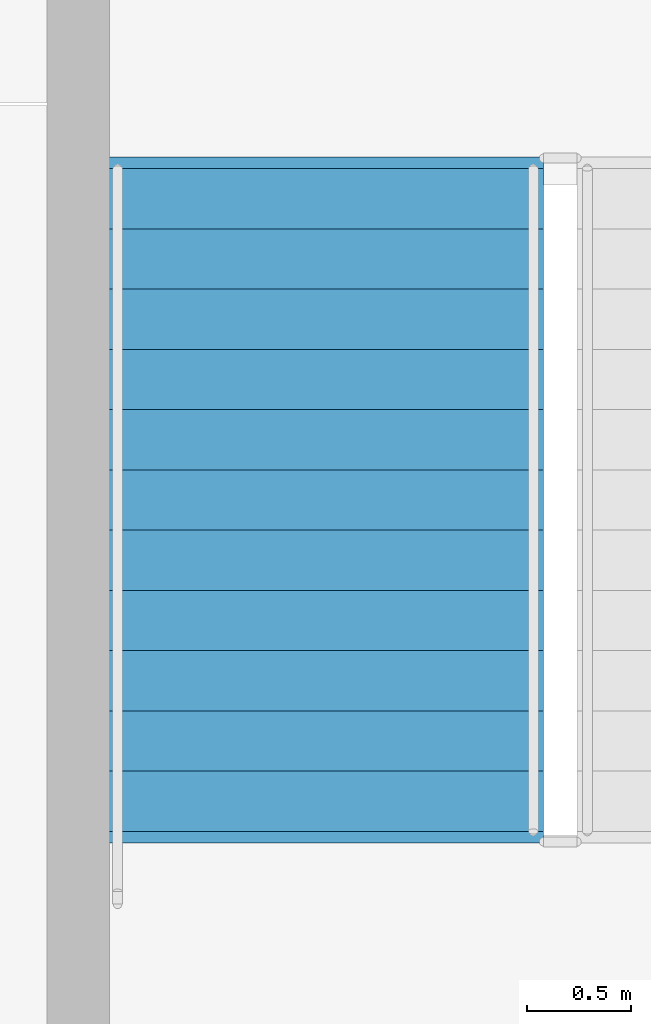
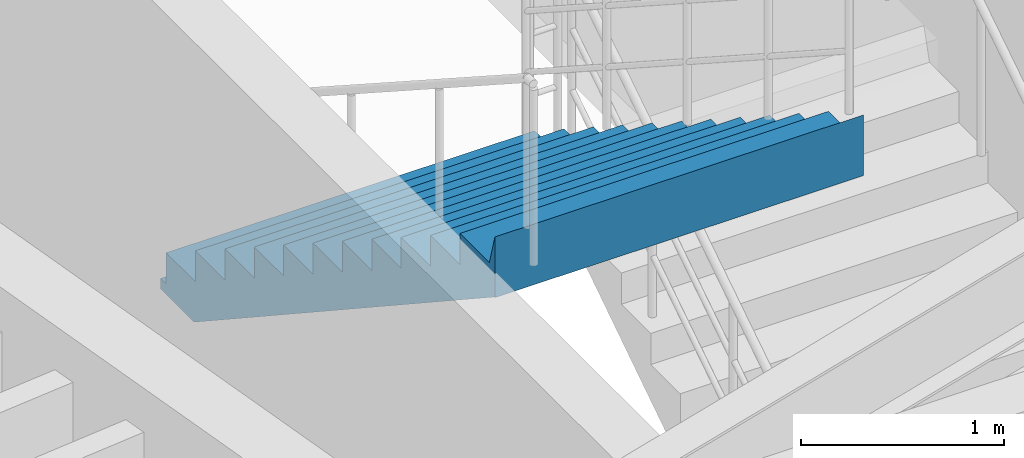
# One storey, part 29 of 45: 1 stair flight, 1 element without a shape of its own.
"""IFC4 building model written with IfcOpenShell, lengths in metres."""

from ifc_helpers import new_model, si_unit, direction, frame, origin, place, context, subcontext, project, spatial, polyline, outline, extrude, material, type_object, element, aggregate, save


model = new_model("IFC4")

# Units and contexts
model_context = context("Model", 3, precision=1e-05, world=origin(), true_north=direction((0.0, 1.0)))
body_context = subcontext(model_context, "Body", "Model", "MODEL_VIEW")
ifc_project = project(units=[si_unit("LENGTHUNIT", "METRE"), si_unit("AREAUNIT", "SQUARE_METRE"), si_unit("VOLUMEUNIT", "CUBIC_METRE"), si_unit("PLANEANGLEUNIT", "RADIAN"), si_unit("MASSUNIT", "GRAM", prefix="KILO")], contexts=[model_context])

# Site, building, storey
site_placement = place(None, origin())
site = spatial("IfcSite", under=ifc_project, at=site_placement, CompositionType="ELEMENT")
building_placement = place(site_placement, origin())
building = spatial("IfcBuilding", under=site, at=building_placement, Name="Cinderbank Siding Concert Hall", CompositionType="ELEMENT")
storey_placement = place(building_placement, frame((0.0, 0.0, 19.199951171875)))
storey = spatial("IfcBuildingStorey", under=building, at=storey_placement, Name="L05", CompositionType="ELEMENT", Elevation=19.199951171875)

# Stair, stair flight
ifc_material = material(Name="Reinforced concrete AS 3600 N50 (50 MPa)", Category="concrete")
stair_type = type_object("IfcStairType", Name="STR-D Dogleg Exit Stair 2100mm", PredefinedType="HALF_TURN_STAIR", material=ifc_material)
stair_placement = place(storey_placement, origin())
stair = element("IfcStair", 1, at=stair_placement, inside=storey, type_object=stair_type, Name="L05 West Drum Exit Stair ST-04", PredefinedType="HALF_TURN_STAIR")
stair_flight_type = type_object("IfcStairFlightType", Name="SFL-D Concrete Stair Flight 2100mm", PredefinedType="STRAIGHT", material=ifc_material)
stair_flight_placement = place(storey_placement, frame((98.590087890625, 43.68994140625, 2.25), z_axis=(0.0, 0.0, 1.0), x_axis=(0.0, -1.0, 0.0)))
stair_flight = element("IfcStairFlight", 2, at=stair_flight_placement, type_object=stair_flight_type, Name="ST-04 flight 2", NumberOfRisers=12, NumberOfTreads=11, PredefinedType="STRAIGHT", RiserHeight=0.1875, TreadLength=0.29, context=body_context, shape_type="SweptSolid", body=[
    extrude(outline(polyline([(0.0, 0.0), (0.0, 0.1875), (0.2900390625, 0.1875), (0.2900390625, 0.375), (0.580078125, 0.375), (0.580078125, 0.5625), (0.8701171875, 0.5625), (0.8701171875, 0.75), (1.159912109375, 0.75), (1.159912109375, 0.9375), (1.449951171875, 0.9375), (1.449951171875, 1.125), (1.739990234375, 1.125), (1.739990234375, 1.3125), (2.030029296875, 1.3125), (2.030029296875, 1.5), (2.320068359375, 1.5), (2.320068359375, 1.6875), (2.610107421875, 1.6875), (2.610107421875, 1.875), (2.89990234375, 1.875), (2.89990234375, 2.0625), (3.18994140625, 2.0625), (3.244873046875, 2.25), (3.244873046875, 1.884033203125), (3.24462890625, 1.88427734375), (3.24462890625, 1.884521484375), (3.24462890625, 1.884765625), (3.24462890625, 1.885009765625), (3.24462890625, 1.88525390625), (3.24462890625, 1.885498046875), (3.24462890625, 1.8857421875), (3.24462890625, 1.885986328125), (3.24462890625, 1.88623046875), (3.24462890625, 1.886474609375), (3.24462890625, 1.88671875), (3.24462890625, 1.886962890625), (3.244384765625, 1.886962890625), (3.244384765625, 1.88671875), (3.244384765625, 1.886474609375), (3.244384765625, 1.88623046875), (3.244384765625, 1.885986328125), (3.244384765625, 1.8857421875), (3.244384765625, 1.885498046875), (3.244384765625, 1.88525390625), (3.244384765625, 1.885009765625), (3.244384765625, 1.884765625), (3.244384765625, 1.884521484375), (3.244384765625, 1.88427734375), (3.244384765625, 1.884033203125), (3.244140625, 1.88427734375), (3.244140625, 1.884521484375), (3.244140625, 1.884765625), (3.244140625, 1.885009765625), (3.244140625, 1.88525390625), (3.244140625, 1.885498046875), (3.244140625, 1.8857421875), (3.244140625, 1.885986328125), (3.244140625, 1.88623046875), (3.244140625, 1.886474609375), (3.244140625, 1.88671875), (3.244140625, 1.886962890625), (3.243896484375, 1.886962890625), (3.243896484375, 1.88671875), (3.243896484375, 1.886474609375), (3.243896484375, 1.88623046875), (3.243896484375, 1.885986328125), (3.243896484375, 1.8857421875), (3.243896484375, 1.885498046875), (3.243896484375, 1.88525390625), (3.243896484375, 1.885009765625), (3.243896484375, 1.884765625), (3.243896484375, 1.884521484375), (3.243896484375, 1.88427734375), (3.243896484375, 1.884033203125), (3.24365234375, 1.88427734375), (3.24365234375, 1.884521484375), (3.24365234375, 1.884765625), (3.24365234375, 1.885009765625), (3.24365234375, 1.88525390625), (3.24365234375, 1.885498046875), (3.24365234375, 1.8857421875), (3.24365234375, 1.885986328125), (3.24365234375, 1.88623046875), (3.24365234375, 1.886474609375), (3.24365234375, 1.88671875), (3.24365234375, 1.886962890625), (3.243408203125, 1.886962890625), (3.243408203125, 1.88671875), (3.243408203125, 1.886474609375), (3.243408203125, 1.88623046875), (3.243408203125, 1.885986328125), (3.243408203125, 1.8857421875), (3.243408203125, 1.885498046875), (3.243408203125, 1.88525390625), (3.243408203125, 1.885009765625), (3.243408203125, 1.884765625), (3.243408203125, 1.884521484375), (3.243408203125, 1.88427734375), (3.243408203125, 1.884033203125), (3.2431640625, 1.88427734375), (3.2431640625, 1.884521484375), (3.2431640625, 1.884765625), (3.2431640625, 1.885009765625), (3.2431640625, 1.88525390625), (3.2431640625, 1.885498046875), (3.2431640625, 1.8857421875), (3.2431640625, 1.885986328125), (3.2431640625, 1.88623046875), (3.2431640625, 1.886474609375), (3.2431640625, 1.88671875), (3.2431640625, 1.886962890625), (3.242919921875, 1.886962890625), (3.242919921875, 1.88671875), (3.242919921875, 1.886474609375), (3.242919921875, 1.88623046875), (3.242919921875, 1.885986328125), (3.242919921875, 1.8857421875), (3.242919921875, 1.885498046875), (3.242919921875, 1.88525390625), (3.242919921875, 1.885009765625), (3.242919921875, 1.884765625), (3.242919921875, 1.884521484375), (3.242919921875, 1.88427734375), (3.242919921875, 1.884033203125), (3.24267578125, 1.88427734375), (3.24267578125, 1.884521484375), (3.24267578125, 1.884765625), (3.24267578125, 1.885009765625), (3.24267578125, 1.88525390625), (3.24267578125, 1.885498046875), (3.24267578125, 1.8857421875), (3.24267578125, 1.885986328125), (3.24267578125, 1.88623046875), (3.24267578125, 1.886474609375), (3.24267578125, 1.88671875), (3.24267578125, 1.886962890625), (3.242431640625, 1.886962890625), (3.242431640625, 1.88671875), (3.242431640625, 1.886474609375), (3.242431640625, 1.88623046875), (3.242431640625, 1.885986328125), (3.242431640625, 1.8857421875), (3.242431640625, 1.885498046875), (3.242431640625, 1.88525390625), (3.242431640625, 1.885009765625), (3.242431640625, 1.884765625), (3.242431640625, 1.884521484375), (3.242431640625, 1.88427734375), (3.242431640625, 1.884033203125), (3.2421875, 1.88427734375), (3.2421875, 1.884521484375), (3.2421875, 1.884765625), (3.2421875, 1.885009765625), (3.2421875, 1.88525390625), (3.2421875, 1.885498046875), (3.2421875, 1.8857421875), (3.2421875, 1.885986328125), (3.2421875, 1.88623046875), (3.2421875, 1.886474609375), (3.2421875, 1.88671875), (3.2421875, 1.886962890625), (3.241943359375, 1.886962890625), (3.241943359375, 1.88671875), (3.241943359375, 1.886474609375), (3.241943359375, 1.88623046875), (3.241943359375, 1.885986328125), (3.241943359375, 1.8857421875), (3.241943359375, 1.885498046875), (3.241943359375, 1.88525390625), (3.241943359375, 1.885009765625), (3.241943359375, 1.884765625), (3.241943359375, 1.884521484375), (3.241943359375, 1.88427734375), (3.241943359375, 1.884033203125), (3.24169921875, 1.88427734375), (3.24169921875, 1.884521484375), (3.24169921875, 1.884765625), (3.24169921875, 1.885009765625), (3.24169921875, 1.88525390625), (3.24169921875, 1.885498046875), (3.24169921875, 1.8857421875), (3.24169921875, 1.885986328125), (3.24169921875, 1.88623046875), (3.24169921875, 1.886474609375), (3.24169921875, 1.88671875), (3.24169921875, 1.886962890625), (3.241455078125, 1.886962890625), (3.241455078125, 1.88671875), (3.241455078125, 1.886474609375), (3.241455078125, 1.88623046875), (3.241455078125, 1.885986328125), (3.241455078125, 1.8857421875), (3.241455078125, 1.885498046875), (3.241455078125, 1.88525390625), (3.241455078125, 1.885009765625), (3.241455078125, 1.884765625), (3.241455078125, 1.884521484375), (3.241455078125, 1.88427734375), (3.241455078125, 1.884033203125), (3.2412109375, 1.88427734375), (3.2412109375, 1.884521484375), (3.2412109375, 1.884765625), (3.2412109375, 1.885009765625), (3.2412109375, 1.88525390625), (3.2412109375, 1.885498046875), (3.2412109375, 1.8857421875), (3.2412109375, 1.885986328125), (3.2412109375, 1.88623046875), (3.2412109375, 1.886474609375), (3.2412109375, 1.88671875), (3.2412109375, 1.886962890625), (3.240966796875, 1.886962890625), (3.240966796875, 1.88671875), (3.240966796875, 1.886474609375), (3.240966796875, 1.88623046875), (3.240966796875, 1.885986328125), (3.240966796875, 1.8857421875), (3.240966796875, 1.885498046875), (3.240966796875, 1.88525390625), (3.240966796875, 1.885009765625), (3.240966796875, 1.884765625), (3.240966796875, 1.884521484375), (3.240966796875, 1.88427734375), (3.240966796875, 1.884033203125), (3.24072265625, 1.88427734375), (3.24072265625, 1.884521484375), (3.24072265625, 1.884765625), (3.24072265625, 1.885009765625), (3.24072265625, 1.88525390625), (3.24072265625, 1.885498046875), (3.24072265625, 1.8857421875), (3.24072265625, 1.885986328125), (3.24072265625, 1.88623046875), (3.24072265625, 1.886474609375), (3.24072265625, 1.88671875), (3.24072265625, 1.886962890625), (3.240478515625, 1.886962890625), (3.240478515625, 1.88671875), (3.240478515625, 1.886474609375), (3.240478515625, 1.88623046875), (3.240478515625, 1.885986328125), (3.240478515625, 1.8857421875), (3.240478515625, 1.885498046875), (3.240478515625, 1.88525390625), (3.240478515625, 1.885009765625), (3.240478515625, 1.884765625), (3.240478515625, 1.884521484375), (3.240478515625, 1.88427734375), (3.240478515625, 1.884033203125), (3.240234375, 1.88427734375), (3.240234375, 1.884521484375), (3.240234375, 1.884765625), (3.240234375, 1.885009765625), (3.240234375, 1.88525390625), (3.240234375, 1.885498046875), (3.240234375, 1.8857421875), (3.240234375, 1.885986328125), (3.240234375, 1.88623046875), (3.240234375, 1.886474609375), (3.240234375, 1.88671875), (3.240234375, 1.886962890625), (3.239990234375, 1.886962890625), (3.239990234375, 1.88671875), (3.239990234375, 1.886474609375), (3.239990234375, 1.88623046875), (3.239990234375, 1.885986328125), (3.239990234375, 1.8857421875), (3.239990234375, 1.885498046875), (3.239990234375, 1.88525390625), (3.239990234375, 1.885009765625), (3.239990234375, 1.884765625), (3.239990234375, 1.884521484375), (3.239990234375, 1.88427734375), (3.239990234375, 1.884033203125), (3.23974609375, 1.88427734375), (3.23974609375, 1.884521484375), (3.23974609375, 1.884765625), (3.23974609375, 1.885009765625), (3.23974609375, 1.88525390625), (3.23974609375, 1.885498046875), (3.23974609375, 1.8857421875), (3.23974609375, 1.885986328125), (3.23974609375, 1.88623046875), (3.23974609375, 1.886474609375), (3.23974609375, 1.88671875), (3.23974609375, 1.886962890625), (3.239501953125, 1.886962890625), (3.239501953125, 1.88671875), (3.239501953125, 1.886474609375), (3.239501953125, 1.88623046875), (3.239501953125, 1.885986328125), (3.239501953125, 1.8857421875), (3.239501953125, 1.885498046875), (3.239501953125, 1.88525390625), (3.239501953125, 1.885009765625), (3.239501953125, 1.884765625), (3.239501953125, 1.884521484375), (3.239501953125, 1.88427734375), (3.239501953125, 1.884033203125), (3.2392578125, 1.88427734375), (3.2392578125, 1.884521484375), (3.2392578125, 1.884765625), (3.2392578125, 1.885009765625), (3.2392578125, 1.88525390625), (3.2392578125, 1.885498046875), (3.2392578125, 1.8857421875), (3.2392578125, 1.885986328125), (3.2392578125, 1.88623046875), (3.2392578125, 1.886474609375), (3.2392578125, 1.88671875), (3.2392578125, 1.886962890625), (3.239013671875, 1.886962890625), (3.239013671875, 1.88671875), (3.239013671875, 1.886474609375), (3.239013671875, 1.88623046875), (3.239013671875, 1.885986328125), (3.239013671875, 1.8857421875), (3.239013671875, 1.885498046875), (3.239013671875, 1.88525390625), (3.239013671875, 1.885009765625), (3.239013671875, 1.884765625), (3.239013671875, 1.884521484375), (3.239013671875, 1.88427734375), (3.239013671875, 1.884033203125), (3.23876953125, 1.88427734375), (3.23876953125, 1.884521484375), (3.23876953125, 1.884765625), (3.23876953125, 1.885009765625), (3.23876953125, 1.88525390625), (3.23876953125, 1.885498046875), (3.23876953125, 1.8857421875), (3.23876953125, 1.885986328125), (3.23876953125, 1.88623046875), (3.23876953125, 1.886474609375), (3.23876953125, 1.88671875), (3.23876953125, 1.886962890625), (3.238525390625, 1.886962890625), (3.238525390625, 1.88671875), (3.238525390625, 1.886474609375), (3.238525390625, 1.88623046875), (3.238525390625, 1.885986328125), (3.238525390625, 1.8857421875), (3.238525390625, 1.885498046875), (3.238525390625, 1.88525390625), (3.238525390625, 1.885009765625), (3.238525390625, 1.884765625), (3.238525390625, 1.884521484375), (3.238525390625, 1.88427734375), (3.238525390625, 1.884033203125), (0.276123046875, -0.06396484375), (-0.048583984375, -0.063720703125), (-0.048583984375, -0.0634765625), (-0.048583984375, -0.063232421875), (-0.048583984375, -0.06298828125), (-0.048583984375, -0.062744140625), (-0.048583984375, -0.0625), (-0.048583984375, -0.062255859375), (-0.048583984375, -0.06201171875), (-0.048583984375, -0.061767578125), (-0.048583984375, -0.0615234375), (-0.048583984375, -0.061279296875), (-0.048583984375, -0.06103515625), (-0.048828125, -0.06103515625), (-0.048828125, -0.061279296875), (-0.048828125, -0.0615234375), (-0.048828125, -0.061767578125), (-0.048828125, -0.06201171875), (-0.048828125, -0.062255859375), (-0.048828125, -0.0625), (-0.048828125, -0.062744140625), (-0.048828125, -0.06298828125), (-0.048828125, -0.063232421875), (-0.048828125, -0.0634765625), (-0.048828125, -0.063720703125), (-0.048828125, -0.06396484375), (-0.049072265625, -0.063720703125), (-0.049072265625, -0.0634765625), (-0.049072265625, -0.063232421875), (-0.049072265625, -0.06298828125), (-0.049072265625, -0.062744140625), (-0.049072265625, -0.0625), (-0.049072265625, -0.062255859375), (-0.049072265625, -0.06201171875), (-0.049072265625, -0.061767578125), (-0.049072265625, -0.0615234375), (-0.049072265625, -0.061279296875), (-0.049072265625, -0.06103515625), (-0.04931640625, -0.06103515625), (-0.04931640625, -0.061279296875), (-0.04931640625, -0.0615234375), (-0.04931640625, -0.061767578125), (-0.04931640625, -0.06201171875), (-0.04931640625, -0.062255859375), (-0.04931640625, -0.0625), (-0.04931640625, -0.062744140625), (-0.04931640625, -0.06298828125), (-0.04931640625, -0.063232421875), (-0.04931640625, -0.0634765625), (-0.04931640625, -0.063720703125), (-0.04931640625, -0.06396484375), (-0.049560546875, -0.063720703125), (-0.049560546875, -0.0634765625), (-0.049560546875, -0.063232421875), (-0.049560546875, -0.06298828125), (-0.049560546875, -0.062744140625), (-0.049560546875, -0.0625), (-0.049560546875, -0.062255859375), (-0.049560546875, -0.06201171875), (-0.049560546875, -0.061767578125), (-0.049560546875, -0.0615234375), (-0.049560546875, -0.061279296875), (-0.049560546875, -0.06103515625), (-0.0498046875, -0.06103515625), (-0.0498046875, -0.061279296875), (-0.0498046875, -0.0615234375), (-0.0498046875, -0.061767578125), (-0.0498046875, -0.06201171875), (-0.0498046875, -0.062255859375), (-0.0498046875, -0.0625), (-0.0498046875, -0.062744140625), (-0.0498046875, -0.06298828125), (-0.0498046875, -0.063232421875), (-0.0498046875, -0.0634765625), (-0.0498046875, -0.063720703125), (-0.0498046875, -0.06396484375), (-0.050048828125, -0.063720703125), (-0.050048828125, -0.0634765625), (-0.050048828125, -0.063232421875), (-0.050048828125, -0.06298828125), (-0.050048828125, -0.062744140625), (-0.050048828125, -0.0625), (-0.050048828125, -0.062255859375), (-0.050048828125, -0.06201171875), (-0.050048828125, -0.061767578125), (-0.050048828125, -0.0615234375), (-0.050048828125, -0.061279296875), (-0.050048828125, -0.06103515625), (-0.05029296875, -0.06103515625), (-0.05029296875, -0.061279296875), (-0.05029296875, -0.0615234375), (-0.05029296875, -0.061767578125), (-0.05029296875, -0.06201171875), (-0.05029296875, -0.062255859375), (-0.05029296875, -0.0625), (-0.05029296875, -0.062744140625), (-0.05029296875, -0.06298828125), (-0.05029296875, -0.063232421875), (-0.05029296875, -0.0634765625), (-0.05029296875, -0.063720703125), (-0.05029296875, -0.06396484375), (-0.050537109375, -0.063720703125), (-0.050537109375, -0.0634765625), (-0.050537109375, -0.063232421875), (-0.050537109375, -0.06298828125), (-0.050537109375, -0.062744140625), (-0.050537109375, -0.0625), (-0.050537109375, -0.062255859375), (-0.050537109375, -0.06201171875), (-0.050537109375, -0.061767578125), (-0.050537109375, -0.0615234375), (-0.050537109375, -0.061279296875), (-0.050537109375, -0.06103515625), (-0.05078125, -0.06103515625), (-0.05078125, -0.061279296875), (-0.05078125, -0.0615234375), (-0.05078125, -0.061767578125), (-0.05078125, -0.06201171875), (-0.05078125, -0.062255859375), (-0.05078125, -0.0625), (-0.05078125, -0.062744140625), (-0.05078125, -0.06298828125), (-0.05078125, -0.063232421875), (-0.05078125, -0.0634765625), (-0.05078125, -0.063720703125), (-0.05078125, -0.06396484375), (-0.051025390625, -0.063720703125), (-0.051025390625, -0.0634765625), (-0.051025390625, -0.063232421875), (-0.051025390625, -0.06298828125), (-0.051025390625, -0.062744140625), (-0.051025390625, -0.0625), (-0.051025390625, -0.062255859375), (-0.051025390625, -0.06201171875), (-0.051025390625, -0.061767578125), (-0.051025390625, -0.0615234375), (-0.051025390625, -0.061279296875), (-0.051025390625, -0.06103515625), (-0.05126953125, -0.06103515625), (-0.05126953125, -0.061279296875), (-0.05126953125, -0.0615234375), (-0.05126953125, -0.061767578125), (-0.05126953125, -0.06201171875), (-0.05126953125, -0.062255859375), (-0.05126953125, -0.0625), (-0.05126953125, -0.062744140625), (-0.05126953125, -0.06298828125), (-0.05126953125, -0.063232421875), (-0.05126953125, -0.0634765625), (-0.05126953125, -0.063720703125), (-0.05126953125, -0.06396484375), (-0.051513671875, -0.063720703125), (-0.051513671875, -0.0634765625), (-0.051513671875, -0.063232421875), (-0.051513671875, -0.06298828125), (-0.051513671875, -0.062744140625), (-0.051513671875, -0.0625), (-0.051513671875, -0.062255859375), (-0.051513671875, -0.06201171875), (-0.051513671875, -0.061767578125), (-0.051513671875, -0.0615234375), (-0.051513671875, -0.061279296875), (-0.051513671875, -0.06103515625), (-0.0517578125, -0.06103515625), (-0.0517578125, -0.061279296875), (-0.0517578125, -0.0615234375), (-0.0517578125, -0.061767578125), (-0.0517578125, -0.06201171875), (-0.0517578125, -0.062255859375), (-0.0517578125, -0.0625), (-0.0517578125, -0.062744140625), (-0.0517578125, -0.06298828125), (-0.0517578125, -0.063232421875), (-0.0517578125, -0.0634765625), (-0.0517578125, -0.063720703125), (-0.0517578125, -0.06396484375), (-0.052001953125, -0.063720703125), (-0.052001953125, -0.0634765625), (-0.052001953125, -0.063232421875), (-0.052001953125, -0.06298828125), (-0.052001953125, -0.062744140625), (-0.052001953125, -0.0625), (-0.052001953125, -0.062255859375), (-0.052001953125, -0.06201171875), (-0.052001953125, -0.061767578125), (-0.052001953125, -0.0615234375), (-0.052001953125, -0.061279296875), (-0.052001953125, -0.06103515625), (-0.05224609375, -0.06103515625), (-0.05224609375, -0.061279296875), (-0.05224609375, -0.0615234375), (-0.05224609375, -0.061767578125), (-0.05224609375, -0.06201171875), (-0.05224609375, -0.062255859375), (-0.05224609375, -0.0625), (-0.05224609375, -0.062744140625), (-0.05224609375, -0.06298828125), (-0.05224609375, -0.063232421875), (-0.05224609375, -0.0634765625), (-0.05224609375, -0.063720703125), (-0.05224609375, -0.06396484375), (-0.052490234375, -0.063720703125), (-0.052490234375, -0.0634765625), (-0.052490234375, -0.063232421875), (-0.052490234375, -0.06298828125), (-0.052490234375, -0.062744140625), (-0.052490234375, -0.0625), (-0.052490234375, -0.062255859375), (-0.052490234375, -0.06201171875), (-0.052490234375, -0.061767578125), (-0.052490234375, -0.0615234375), (-0.052490234375, -0.061279296875), (-0.052490234375, -0.06103515625), (-0.052734375, -0.06103515625), (-0.052734375, -0.061279296875), (-0.052734375, -0.0615234375), (-0.052734375, -0.061767578125), (-0.052734375, -0.06201171875), (-0.052734375, -0.062255859375), (-0.052734375, -0.0625), (-0.052734375, -0.062744140625), (-0.052734375, -0.06298828125), (-0.052734375, -0.063232421875), (-0.052734375, -0.0634765625), (-0.052734375, -0.063720703125), (-0.052734375, -0.06396484375), (-0.052978515625, -0.063720703125), (-0.052978515625, -0.0634765625), (-0.052978515625, -0.063232421875), (-0.052978515625, -0.06298828125), (-0.052978515625, -0.062744140625), (-0.052978515625, -0.0625), (-0.052978515625, -0.062255859375), (-0.052978515625, -0.06201171875), (-0.052978515625, -0.061767578125), (-0.052978515625, -0.0615234375), (-0.052978515625, -0.061279296875), (-0.052978515625, -0.06103515625), (-0.05322265625, -0.06103515625), (-0.05322265625, -0.061279296875), (-0.05322265625, -0.0615234375), (-0.05322265625, -0.061767578125), (-0.05322265625, -0.06201171875), (-0.05322265625, -0.062255859375), (-0.05322265625, -0.0625), (-0.05322265625, -0.062744140625), (-0.05322265625, -0.06298828125), (-0.05322265625, -0.063232421875), (-0.05322265625, -0.0634765625), (-0.05322265625, -0.063720703125), (-0.05322265625, -0.06396484375), (-0.053466796875, -0.063720703125), (-0.053466796875, -0.0634765625), (-0.053466796875, -0.063232421875), (-0.053466796875, -0.06298828125), (-0.053466796875, -0.062744140625), (-0.053466796875, -0.0625), (-0.053466796875, -0.062255859375), (-0.053466796875, -0.06201171875), (-0.053466796875, -0.061767578125), (-0.053466796875, -0.0615234375), (-0.053466796875, -0.061279296875), (-0.053466796875, -0.06103515625), (-0.0537109375, -0.06103515625), (-0.0537109375, -0.061279296875), (-0.0537109375, -0.0615234375), (-0.0537109375, -0.061767578125), (-0.0537109375, -0.06201171875), (-0.0537109375, -0.062255859375), (-0.0537109375, -0.0625), (-0.0537109375, -0.062744140625), (-0.0537109375, -0.06298828125), (-0.0537109375, -0.063232421875), (-0.0537109375, -0.0634765625), (-0.0537109375, -0.063720703125), (-0.0537109375, -0.06396484375), (-0.053955078125, -0.063720703125), (-0.053955078125, -0.0634765625), (-0.053955078125, -0.063232421875), (-0.053955078125, -0.06298828125), (-0.053955078125, -0.062744140625), (-0.053955078125, -0.0625), (-0.053955078125, -0.062255859375), (-0.053955078125, -0.06201171875), (-0.053955078125, -0.061767578125), (-0.053955078125, -0.0615234375), (-0.053955078125, -0.061279296875), (-0.053955078125, -0.06103515625), (-0.05419921875, -0.06103515625), (-0.05419921875, -0.061279296875), (-0.05419921875, -0.0615234375), (-0.05419921875, -0.061767578125), (-0.05419921875, -0.06201171875), (-0.05419921875, -0.062255859375), (-0.05419921875, -0.0625), (-0.05419921875, -0.062744140625), (-0.05419921875, -0.06298828125), (-0.05419921875, -0.063232421875), (-0.05419921875, -0.0634765625), (-0.05419921875, -0.063720703125), (-0.05419921875, -0.06396484375), (-0.054443359375, -0.063720703125), (-0.054443359375, -0.0634765625), (-0.054443359375, -0.063232421875), (-0.054443359375, -0.06298828125), (-0.054443359375, -0.062744140625), (-0.054443359375, -0.0625), (-0.054443359375, -0.062255859375), (-0.054443359375, -0.06201171875), (-0.054443359375, -0.061767578125), (-0.054443359375, -0.0615234375), (-0.054443359375, -0.061279296875), (-0.054443359375, -0.06103515625), (-0.0546875, -0.06103515625), (-0.0546875, -0.061279296875), (-0.0546875, -0.0615234375), (-0.0546875, -0.061767578125), (-0.0546875, -0.06201171875), (-0.0546875, -0.062255859375), (-0.0546875, -0.0625), (-0.0546875, -0.062744140625), (-0.0546875, -0.06298828125), (-0.0546875, -0.063232421875), (-0.0546875, -0.0634765625), (-0.0546875, -0.063720703125), (-0.0546875, -0.06396484375), (-0.054931640625, -0.06396484375), (-0.054931640625, 0.0), (0.0, 0.0)])), frame((0.0, 1.050048828125, 0.0), z_axis=(0.0, -1.0, 0.0), x_axis=(1.0, 0.0, 0.0)), (0.0, 0.0, 1.0), 2.10009765625),
])
aggregate(stair, [stair_flight])

save(model, "model.ifc")
